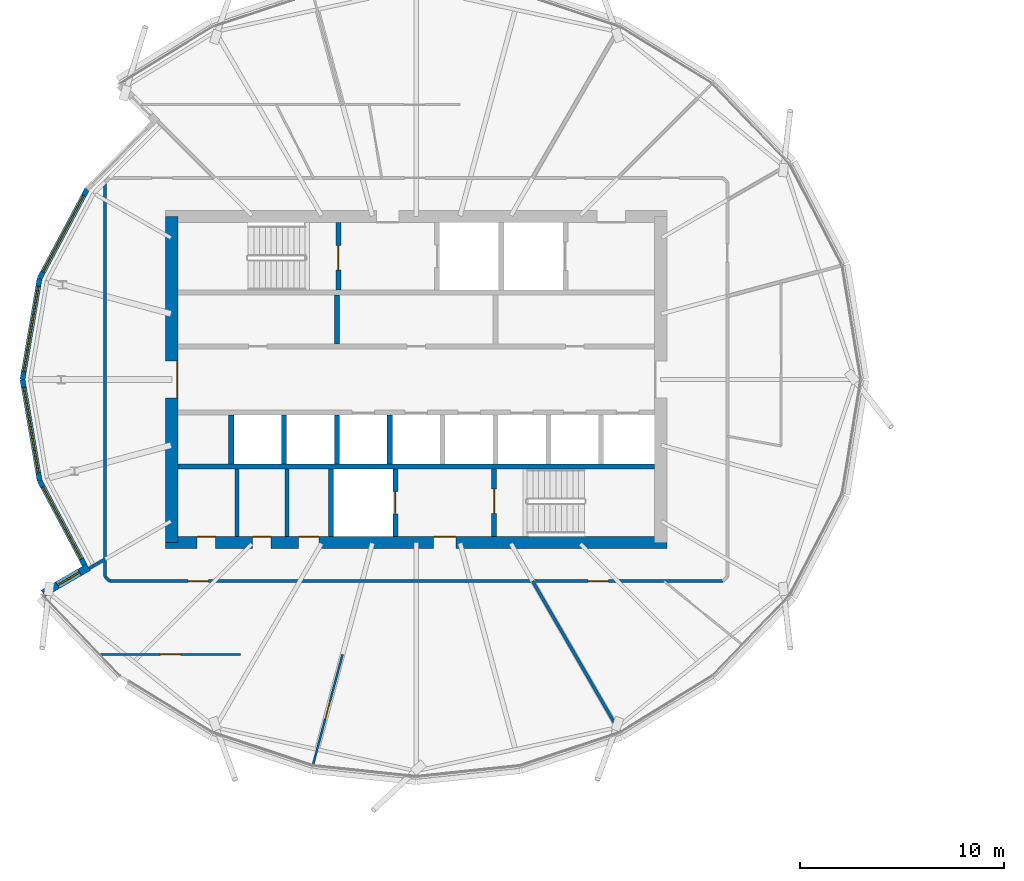
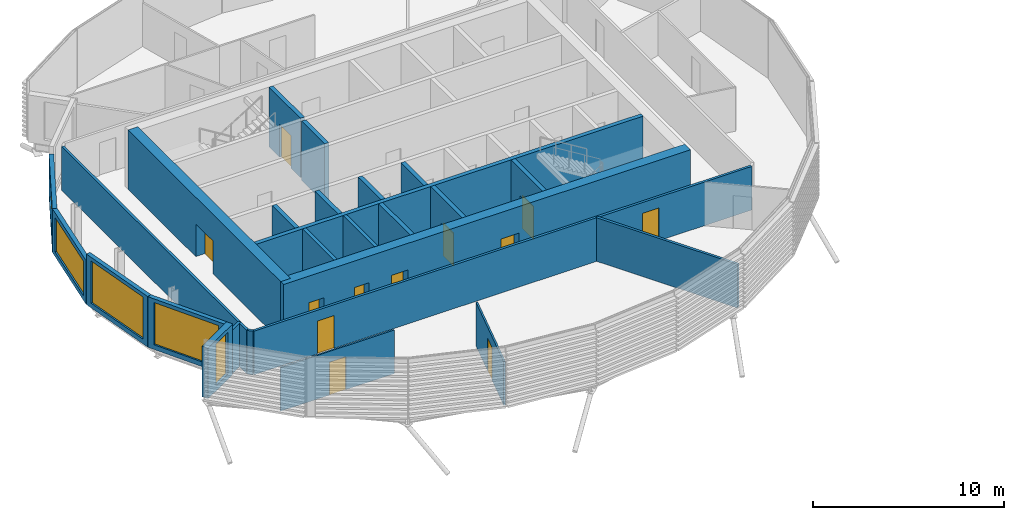
# One storey, part 19 of 36: 26 walls, 12 doors, 5 windows, 17 openings.
"""IFC4 building model written with IfcOpenShell, lengths in metres."""

from ifc_helpers import new_model, si_unit, direction, frame, frame_2d, origin, place, context, subcontext, project, spatial, rectangle, extrude, material, layer, layer_set, type_object, element, fill, save


model = new_model("IFC4")

# Units and contexts
model_context = context("Model", 3, precision=1e-05, world=origin(), true_north=direction((0.0, 1.0)))
body_context = subcontext(model_context, "Body", "Model", "MODEL_VIEW")
ifc_project = project(units=[si_unit("LENGTHUNIT", "METRE"), si_unit("AREAUNIT", "SQUARE_METRE"), si_unit("VOLUMEUNIT", "CUBIC_METRE"), si_unit("PLANEANGLEUNIT", "RADIAN"), si_unit("MASSUNIT", "GRAM", prefix="KILO")], contexts=[model_context])

# Site, building, storey
site_placement = place(None, origin())
site = spatial("IfcSite", under=ifc_project, at=site_placement, CompositionType="ELEMENT")
building_placement = place(site_placement, origin())
building = spatial("IfcBuilding", under=site, at=building_placement, Name="Rimbun Link Towers", CompositionType="ELEMENT")
storey_placement = place(building_placement, frame((0.0, 0.0, 189.300048828125)))
storey = spatial("IfcBuildingStorey", under=building, at=storey_placement, Name="L46", CompositionType="ELEMENT", Elevation=189.300048828125)

# Wall, opening, window
ifc_material_1 = material(Name="Dark enamelled glass spandrel on insulated aluminium backpan", Category="aluminium")
ifc_layer_1 = layer(ifc_material_1, 0.25)
ifc_layer_set_1 = layer_set([ifc_layer_1], Name="CS dark enamelled spandrel wall 250")
wall_type_1 = type_object("IfcWallType", Name="CS dark enamelled spandrel wall 250", PredefinedType="STANDARD", material=ifc_layer_set_1)
wall_1_placement = place(storey_placement, frame((-50.239501953125, 4.962890625, 0.0), z_axis=(0.0, 0.0, 1.0), x_axis=(0.469870717815, 0.882735242607, 0.0)))
wall_1 = element("IfcWall", 1, at=wall_1_placement, inside=storey, type_object=wall_type_1, Name="Crease spandrel wall", PredefinedType="STANDARD", context=body_context, shape_type="SweptSolid", body=[
    extrude(rectangle(XDim=4.963623046875, YDim=0.25, at=frame_2d((2.48193359375, 0.0))), origin(), (0.0, 0.0, 1.0), 2.799072265625),
])
opening_1_placement = place(wall_1_placement, frame((0.35693359375, 0.0, 0.300048828125)))
opening_1 = element("IfcOpeningElement", 2, at=opening_1_placement, cuts=wall_1, Name="Opening WR42H220", PredefinedType="OPENING", context=body_context, shape_type="SweptSolid", body=[
    extrude(rectangle(XDim=4.25, YDim=2.199951171875, at=frame_2d((2.125, 1.10009765625))), frame((0.0, 0.135009765625, 0.0), z_axis=(0.0, -1.0, 0.0), x_axis=(1.0, 0.0, 0.0)), (0.0, 0.0, 1.0), 0.27001953125),
])
ifc_material_2 = material(Name="Aluminium framed fixed window, dark tinted low-e glass", Category="aluminium")
window_type_1 = type_object("IfcWindowType", Name="WR ribbon window 4250X2200", PartitioningType="SINGLE_PANEL", PredefinedType="WINDOW", material=ifc_material_2)
window_1_placement = place(opening_1_placement, origin())
window_1 = element("IfcWindow", 3, at=window_1_placement, inside=storey, type_object=window_type_1, Name="Crease ribbon window", OverallHeight=2.199951171875, OverallWidth=4.25, PartitioningType="SINGLE_PANEL", PredefinedType="WINDOW", context=body_context, shape_type="SweptSolid", body=[
    extrude(rectangle(XDim=4.25, YDim=2.199951171875, at=frame_2d((2.125, 1.10009765625))), frame((0.0, 0.030029296875, 0.0), z_axis=(0.0, -1.0, 0.0), x_axis=(1.0, 0.0, 0.0)), (0.0, 0.0, 1.0), 0.06005859375),
])
fill(opening_1, window_1)

wall_2_placement = place(storey_placement, frame((-51.077880859375, 0.0, 0.0), z_axis=(0.0, 0.0, 1.0), x_axis=(0.166569559795, 0.986029706322, 0.0)))
wall_2 = element("IfcWall", 4, at=wall_2_placement, inside=storey, type_object=wall_type_1, Name="Crease spandrel wall", PredefinedType="STANDARD", context=body_context, shape_type="SweptSolid", body=[
    extrude(rectangle(XDim=5.033203125, YDim=0.25, at=frame_2d((2.5166015625, 0.0))), origin(), (0.0, 0.0, 1.0), 2.799072265625),
])
opening_2_placement = place(wall_2_placement, frame((0.3916015625, 0.0, 0.300048828125)))
opening_2 = element("IfcOpeningElement", 5, at=opening_2_placement, cuts=wall_2, Name="Opening WR42H220", PredefinedType="OPENING", context=body_context, shape_type="SweptSolid", body=[
    extrude(rectangle(XDim=4.25, YDim=2.199951171875, at=frame_2d((2.125, 1.10009765625))), frame((0.0, 0.135009765625, 0.0), z_axis=(0.0, -1.0, 0.0), x_axis=(1.0, 0.0, 0.0)), (0.0, 0.0, 1.0), 0.27001953125),
])
window_2_placement = place(opening_2_placement, origin())
window_2 = element("IfcWindow", 6, at=window_2_placement, inside=storey, type_object=window_type_1, Name="Crease ribbon window", OverallHeight=2.199951171875, OverallWidth=4.25, PartitioningType="SINGLE_PANEL", PredefinedType="WINDOW", context=body_context, shape_type="SweptSolid", body=[
    extrude(rectangle(XDim=4.25, YDim=2.199951171875, at=frame_2d((2.125, 1.10009765625))), frame((0.0, 0.030029296875, 0.0), z_axis=(0.0, -1.0, 0.0), x_axis=(1.0, 0.0, 0.0)), (0.0, 0.0, 1.0), 0.06005859375),
])
fill(opening_2, window_2)

wall_3_placement = place(storey_placement, frame((-50.239501953125, -4.962890625, 0.0), z_axis=(0.0, 0.0, 1.0), x_axis=(-0.166569559795, 0.986029706322, 0.0)))
wall_3 = element("IfcWall", 7, at=wall_3_placement, inside=storey, type_object=wall_type_1, Name="Crease spandrel wall", PredefinedType="STANDARD", context=body_context, shape_type="SweptSolid", body=[
    extrude(rectangle(XDim=5.033203125, YDim=0.25, at=frame_2d((2.5166015625, 0.0))), origin(), (0.0, 0.0, 1.0), 3.233642578125),
])
opening_3_placement = place(wall_3_placement, frame((0.3916015625, 0.0, 0.300048828125)))
opening_3 = element("IfcOpeningElement", 8, at=opening_3_placement, cuts=wall_3, Name="Opening WR42H270", PredefinedType="OPENING", context=body_context, shape_type="SweptSolid", body=[
    extrude(rectangle(XDim=4.25, YDim=2.699951171875, at=frame_2d((2.125, 1.35009765625))), frame((0.0, 0.135009765625, 0.0), z_axis=(0.0, -1.0, 0.0), x_axis=(1.0, 0.0, 0.0)), (0.0, 0.0, 1.0), 0.27001953125),
])
ifc_material_3 = material(Name="Aluminium framed fixed window, dark tinted low-e glass", Category="aluminium")
window_type_2 = type_object("IfcWindowType", Name="WR ribbon window 4250X2700", PartitioningType="SINGLE_PANEL", PredefinedType="WINDOW", material=ifc_material_3)
window_3_placement = place(opening_3_placement, origin())
window_3 = element("IfcWindow", 9, at=window_3_placement, inside=storey, type_object=window_type_2, Name="Crease ribbon window", OverallHeight=2.699951171875, OverallWidth=4.25, PartitioningType="SINGLE_PANEL", PredefinedType="WINDOW", context=body_context, shape_type="SweptSolid", body=[
    extrude(rectangle(XDim=4.25, YDim=2.699951171875, at=frame_2d((2.125, 1.35009765625))), frame((0.0, 0.030029296875, 0.0), z_axis=(0.0, -1.0, 0.0), x_axis=(1.0, 0.0, 0.0)), (0.0, 0.0, 1.0), 0.06005859375),
])
fill(opening_3, window_3)

wall_4_placement = place(storey_placement, frame((-48.03125, -9.111328125, 0.0), z_axis=(0.0, 0.0, 1.0), x_axis=(-0.469884338994, 0.882727992061, 0.0)))
wall_4 = element("IfcWall", 10, at=wall_4_placement, inside=storey, type_object=wall_type_1, Name="Crease spandrel wall", PredefinedType="STANDARD", context=body_context, shape_type="SweptSolid", body=[
    extrude(rectangle(XDim=4.699462890625, YDim=0.25, at=frame_2d((2.349609375, 0.0))), origin(), (0.0, 0.0, 1.0), 3.233642578125),
])
opening_4_placement = place(wall_4_placement, frame((0.349853515625, 0.0, 0.300048828125)))
opening_4 = element("IfcOpeningElement", 11, at=opening_4_placement, cuts=wall_4, Name="Opening WR40H270", PredefinedType="OPENING", context=body_context, shape_type="SweptSolid", body=[
    extrude(rectangle(XDim=4.0, YDim=2.699951171875, at=frame_2d((2.0, 1.35009765625))), frame((0.0, 0.135009765625, 0.0), z_axis=(0.0, -1.0, 0.0), x_axis=(1.0, 0.0, 0.0)), (0.0, 0.0, 1.0), 0.27001953125),
])
ifc_material_4 = material(Name="Aluminium framed fixed window, dark tinted low-e glass", Category="aluminium")
window_type_3 = type_object("IfcWindowType", Name="WR ribbon window 4000X2700", PartitioningType="SINGLE_PANEL", PredefinedType="WINDOW", material=ifc_material_4)
window_4_placement = place(opening_4_placement, origin())
window_4 = element("IfcWindow", 12, at=window_4_placement, inside=storey, type_object=window_type_3, Name="Crease ribbon window", OverallHeight=2.699951171875, OverallWidth=4.0, PartitioningType="SINGLE_PANEL", PredefinedType="WINDOW", context=body_context, shape_type="SweptSolid", body=[
    extrude(rectangle(XDim=4.0, YDim=2.699951171875, at=frame_2d((2.0, 1.35009765625))), frame((0.0, 0.030029296875, 0.0), z_axis=(0.0, -1.0, 0.0), x_axis=(1.0, 0.0, 0.0)), (0.0, 0.0, 1.0), 0.06005859375),
])
fill(opening_4, window_4)

ifc_material_5 = material(Name="Dark enamelled glass spandrel on insulated aluminium backpan", Category="aluminium")
ifc_layer_2 = layer(ifc_material_5, 0.3701171875)
ifc_layer_set_2 = layer_set([ifc_layer_2], Name="CS dark enamelled spandrel wall 370")
wall_type_2 = type_object("IfcWallType", Name="CS dark enamelled spandrel wall 370", PredefinedType="STANDARD", material=ifc_layer_set_2)
wall_5_placement = place(storey_placement, frame((-50.072265625, -10.50341796875, 0.0), z_axis=(0.0, 0.0, 1.0), x_axis=(0.866021702275, 0.500006411147, 0.0)))
wall_5 = element("IfcWall", 13, at=wall_5_placement, inside=storey, type_object=wall_type_2, Name="Crease spandrel wall", PredefinedType="STANDARD", context=body_context, shape_type="SweptSolid", body=[
    extrude(rectangle(XDim=2.580078125, YDim=0.3701171875, at=frame_2d((1.2900390625, 0.0))), origin(), (0.0, 0.0, 1.0), 3.233642578125),
])
opening_5_placement = place(wall_5_placement, frame((0.8212890625, 0.0, 0.300048828125)))
opening_5 = element("IfcOpeningElement", 14, at=opening_5_placement, cuts=wall_5, Name="Opening WR12H270", PredefinedType="OPENING", context=body_context, shape_type="SweptSolid", body=[
    extrude(rectangle(XDim=1.25, YDim=2.699951171875, at=frame_2d((0.625, 1.35009765625))), frame((0.0, 0.195068359375, 0.0), z_axis=(0.0, -1.0, 0.0), x_axis=(1.0, 0.0, 0.0)), (0.0, 0.0, 1.0), 0.39013671875),
])
ifc_material_6 = material(Name="Aluminium framed fixed window, dark tinted low-e glass", Category="aluminium")
window_type_4 = type_object("IfcWindowType", Name="WR ribbon window 1250X2700", PartitioningType="SINGLE_PANEL", PredefinedType="WINDOW", material=ifc_material_6)
window_5_placement = place(opening_5_placement, origin())
window_5 = element("IfcWindow", 15, at=window_5_placement, inside=storey, type_object=window_type_4, Name="Crease ribbon window", OverallHeight=2.699951171875, OverallWidth=1.25, PartitioningType="SINGLE_PANEL", PredefinedType="WINDOW", context=body_context, shape_type="SweptSolid", body=[
    extrude(rectangle(XDim=1.25, YDim=2.699951171875, at=frame_2d((0.625, 1.35009765625))), frame((0.0, 0.030029296875, 0.0), z_axis=(0.0, -1.0, 0.0), x_axis=(1.0, 0.0, 0.0)), (0.0, 0.0, 1.0), 0.06005859375),
])
fill(opening_5, window_5)

# Walls
ifc_material_7 = material(Name="Masonry blockwork", Category="masonry")
ifc_layer_3 = layer(ifc_material_7, 0.199951171875)
ifc_layer_set_3 = layer_set([ifc_layer_3], Name="Core partition 200")
wall_type_3 = type_object("IfcWallType", Name="Core partition 200", PredefinedType="PARTITIONING", material=ifc_layer_set_3)
for number, where, z_axis, x_axis, name in (
    (16, (-40.550048828125, -4.39990234375, 0.0), (0.0, 0.0, 1.0), (0.0, -1.0, 0.0), "L46 T1 core wall C1"),
    (17, (-38.10009765625, -4.39990234375, 0.0), (0.0, 0.0, 1.0), (0.0, -1.0, 0.0), "L46 T1 core wall C2"),
):
    element("IfcWall", number, at=place(storey_placement, frame(where, z_axis=z_axis, x_axis=x_axis)), inside=storey, type_object=wall_type_3, Name=name, PredefinedType="PARTITIONING", context=body_context, shape_type="SweptSolid", body=[
        extrude(rectangle(XDim=3.300048828125, YDim=0.199951171875, at=frame_2d((1.64990234375, 0.0))), origin(), (0.0, 0.0, 1.0), 3.800048828125),
    ])

# Wall, openings, doors
ifc_material_8 = material(Name="Concrete C60/75", Category="concrete")
ifc_layer_4 = layer(ifc_material_8, 0.60009765625)
ifc_layer_set_4 = layer_set([ifc_layer_4], Name="Core shear wall 600")
wall_type_4 = type_object("IfcWallType", Name="Core shear wall 600", PredefinedType="SHEAR", material=ifc_layer_set_4)
wall_6_placement = place(storey_placement, frame((-44.050048828125, -8.0, 0.0), z_axis=(0.0, 0.0, 1.0), x_axis=(1.0, 0.0, 0.0)))
wall_6 = element("IfcWall", 18, at=wall_6_placement, inside=storey, type_object=wall_type_4, Name="L46 T1 core wall S", PredefinedType="SHEAR", context=body_context, shape_type="SweptSolid", body=[
    extrude(rectangle(XDim=24.60009765625, YDim=0.60009765625, at=frame_2d((12.300048828125, 0.0))), origin(), (0.0, 0.0, 1.0), 3.800048828125),
])
opening_6_placement = place(wall_6_placement, frame((13.14990234375, 0.0, 0.0)))
opening_6 = element("IfcOpeningElement", 19, at=opening_6_placement, cuts=wall_6, Name="Opening C1DCF01S", PredefinedType="OPENING", context=body_context, shape_type="SweptSolid", body=[
    extrude(rectangle(XDim=1.10009765625, YDim=2.10009765625, at=frame_2d((0.550048828125, 1.050048828125))), frame((0.0, 0.31005859375, 0.0), z_axis=(0.0, -1.0, 0.0), x_axis=(1.0, 0.0, 0.0)), (0.0, 0.0, 1.0), 0.6201171875),
])
opening_7_placement = place(wall_6_placement, frame((1.550048828125, 0.0, 0.0)))
opening_7 = element("IfcOpeningElement", 20, at=opening_7_placement, cuts=wall_6, Name="Opening C1DWC02S", PredefinedType="OPENING", context=body_context, shape_type="SweptSolid", body=[
    extrude(rectangle(XDim=0.89990234375, YDim=2.10009765625, at=frame_2d((0.449951171875, 1.050048828125))), frame((0.0, 0.31005859375, 0.0), z_axis=(0.0, -1.0, 0.0), x_axis=(1.0, 0.0, 0.0)), (0.0, 0.0, 1.0), 0.6201171875),
])
opening_8_placement = place(wall_6_placement, frame((4.27490234375, 0.0, 0.0)))
opening_8 = element("IfcOpeningElement", 21, at=opening_8_placement, cuts=wall_6, Name="Opening C1DWC03S", PredefinedType="OPENING", context=body_context, shape_type="SweptSolid", body=[
    extrude(rectangle(XDim=0.89990234375, YDim=2.10009765625, at=frame_2d((0.449951171875, 1.050048828125))), frame((0.0, 0.31005859375, 0.0), z_axis=(0.0, -1.0, 0.0), x_axis=(1.0, 0.0, 0.0)), (0.0, 0.0, 1.0), 0.6201171875),
])
opening_9_placement = place(wall_6_placement, frame((6.52490234375, 0.0, 0.0)))
opening_9 = element("IfcOpeningElement", 22, at=opening_9_placement, cuts=wall_6, Name="Opening C1DAW04S", PredefinedType="OPENING", context=body_context, shape_type="SweptSolid", body=[
    extrude(rectangle(XDim=1.0, YDim=2.10009765625, at=frame_2d((0.5, 1.050048828125))), frame((0.0, 0.31005859375, 0.0), z_axis=(0.0, -1.0, 0.0), x_axis=(1.0, 0.0, 0.0)), (0.0, 0.0, 1.0), 0.6201171875),
])
ifc_material_9 = material(Name="Timber", Category="wood")
door_type_1 = type_object("IfcDoorType", Name="Accessible WC door", OperationType="SINGLE_SWING_LEFT", PredefinedType="DOOR", material=ifc_material_9)
door_1_placement = place(opening_9_placement, origin())
door_1 = element("IfcDoor", 23, at=door_1_placement, inside=storey, type_object=door_type_1, Name="L46 T1 accessible wc door", OperationType="SINGLE_SWING_RIGHT", OverallHeight=2.10009765625, OverallWidth=1.0, PredefinedType="DOOR", context=body_context, shape_type="SweptSolid", body=[
    extrude(rectangle(XDim=1.0, YDim=2.10009765625, at=frame_2d((0.5, 1.050048828125))), frame((0.0, 0.2998046875, 0.0), z_axis=(0.0, -1.0, 0.0), x_axis=(1.0, 0.0, 0.0)), (0.0, 0.0, 1.0), 0.050048828125),
])
fill(opening_9, door_1)
ifc_material_10 = material(Name="Steel fire door set", Category="steel")
door_type_2 = type_object("IfcDoorType", Name="Core fire door single", OperationType="SINGLE_SWING_LEFT", PredefinedType="DOOR", material=ifc_material_10)
door_2_placement = place(opening_6_placement, origin())
door_2 = element("IfcDoor", 24, at=door_2_placement, inside=storey, type_object=door_type_2, Name="L46 T1 firefighting lobby s door", OperationType="SINGLE_SWING_RIGHT", OverallHeight=2.10009765625, OverallWidth=1.10009765625, PredefinedType="DOOR", context=body_context, shape_type="SweptSolid", body=[
    extrude(rectangle(XDim=1.10009765625, YDim=2.10009765625, at=frame_2d((0.550048828125, 1.050048828125))), frame((0.0, 0.2998046875, 0.0), z_axis=(0.0, -1.0, 0.0), x_axis=(1.0, 0.0, 0.0)), (0.0, 0.0, 1.0), 0.050048828125),
])
fill(opening_6, door_2)
ifc_material_11 = material(Name="Timber", Category="wood")
door_type_3 = type_object("IfcDoorType", Name="WC door", OperationType="SINGLE_SWING_LEFT", PredefinedType="DOOR", material=ifc_material_11)
door_3_placement = place(opening_7_placement, origin())
door_3 = element("IfcDoor", 25, at=door_3_placement, inside=storey, type_object=door_type_3, Name="L46 T1 male wc door", OperationType="SINGLE_SWING_LEFT", OverallHeight=2.10009765625, OverallWidth=0.89990234375, PredefinedType="DOOR", context=body_context, shape_type="SweptSolid", body=[
    extrude(rectangle(XDim=0.89990234375, YDim=2.10009765625, at=frame_2d((0.449951171875, 1.050048828125))), frame((0.0, 0.2998046875, 0.0), z_axis=(0.0, -1.0, 0.0), x_axis=(1.0, 0.0, 0.0)), (0.0, 0.0, 1.0), 0.050048828125),
])
fill(opening_7, door_3)
door_4_placement = place(opening_8_placement, origin())
door_4 = element("IfcDoor", 26, at=door_4_placement, inside=storey, type_object=door_type_3, Name="L46 T1 female wc door", OperationType="SINGLE_SWING_RIGHT", OverallHeight=2.10009765625, OverallWidth=0.89990234375, PredefinedType="DOOR", context=body_context, shape_type="SweptSolid", body=[
    extrude(rectangle(XDim=0.89990234375, YDim=2.10009765625, at=frame_2d((0.449951171875, 1.050048828125))), frame((0.0, 0.2998046875, 0.0), z_axis=(0.0, -1.0, 0.0), x_axis=(1.0, 0.0, 0.0)), (0.0, 0.0, 1.0), 0.050048828125),
])
fill(opening_8, door_4)

# Wall, opening, door
wall_7_placement = place(storey_placement, frame((-43.75, -8.0, 0.0), z_axis=(0.0, 0.0, 1.0), x_axis=(0.0, 1.0, 0.0)))
wall_7 = element("IfcWall", 27, at=wall_7_placement, inside=storey, type_object=wall_type_4, Name="L46 T1 core wall W", PredefinedType="SHEAR", context=body_context, shape_type="SweptSolid", body=[
    extrude(rectangle(XDim=16.0, YDim=0.60009765625, at=frame_2d((8.0, 0.0))), origin(), (0.0, 0.0, 1.0), 3.800048828125),
])
opening_10_placement = place(wall_7_placement, frame((7.10009765625, 0.0, 0.0)))
opening_10 = element("IfcOpeningElement", 28, at=opening_10_placement, cuts=wall_7, Name="Opening C1DCL01W", PredefinedType="OPENING", context=body_context, shape_type="SweptSolid", body=[
    extrude(rectangle(XDim=1.800048828125, YDim=2.10009765625, at=frame_2d((0.89990234375, 1.050048828125))), frame((0.0, 0.31005859375, 0.0), z_axis=(0.0, -1.0, 0.0), x_axis=(1.0, 0.0, 0.0)), (0.0, 0.0, 1.0), 0.6201171875),
])
ifc_material_12 = material(Name="Steel fire door set", Category="steel")
door_type_4 = type_object("IfcDoorType", Name="Core lobby door double", OperationType="DOUBLE_DOOR_SINGLE_SWING", PredefinedType="DOOR", material=ifc_material_12)
door_5_placement = place(opening_10_placement, origin())
door_5 = element("IfcDoor", 29, at=door_5_placement, inside=storey, type_object=door_type_4, Name="L46 T1 lift lobby door", OperationType="DOUBLE_DOOR_SINGLE_SWING", OverallHeight=2.10009765625, OverallWidth=1.800048828125, PredefinedType="DOOR", context=body_context, shape_type="SweptSolid", body=[
    extrude(rectangle(XDim=1.800048828125, YDim=2.10009765625, at=frame_2d((0.89990234375, 1.050048828125))), frame((0.0, -0.25, 0.0), z_axis=(0.0, -1.0, 0.0), x_axis=(1.0, 0.0, 0.0)), (0.0, 0.0, 1.0), 0.050048828125),
])
fill(opening_10, door_5)

# Wall, openings, doors
ifc_material_13 = material(Name="Plasterboard on steel stud, mineral wool", Category="steel")
ifc_layer_5 = layer(ifc_material_13, 0.14990234375)
ifc_layer_set_5 = layer_set([ifc_layer_5], Name="Corridor wall EI 30 150 mm")
wall_type_5 = type_object("IfcWallType", Name="Corridor wall EI 30 150 mm", PredefinedType="PARTITIONING", material=ifc_layer_set_5)
wall_8_placement = place(storey_placement, frame((-16.6962890625, -9.89501953125, 0.0), z_axis=(0.0, 0.0, 1.0), x_axis=(-1.0, 0.0, 0.0)))
wall_8 = element("IfcWall", 30, at=wall_8_placement, inside=storey, type_object=wall_type_5, Name="Corridor wall EI 30 150 mm", PredefinedType="PARTITIONING", context=body_context, shape_type="SweptSolid", body=[
    extrude(rectangle(XDim=30.107421875, YDim=0.14990234375, at=frame_2d((15.0537109375, 0.0))), origin(), (0.0, 0.0, 1.0), 2.7890625),
])
opening_11_placement = place(wall_8_placement, frame((25.255615234375, 0.0, 0.0)))
opening_11 = element("IfcOpeningElement", 31, at=opening_11_placement, cuts=wall_8, Name="Opening D01", PredefinedType="OPENING", context=body_context, shape_type="SweptSolid", body=[
    extrude(rectangle(XDim=1.0, YDim=2.10009765625, at=frame_2d((0.5, 1.050048828125))), frame((0.0, 0.0849609375, 0.0), z_axis=(0.0, -1.0, 0.0), x_axis=(1.0, 0.0, 0.0)), (0.0, 0.0, 1.0), 0.169921875),
])
opening_12_placement = place(wall_8_placement, frame((5.614501953125, 0.0, 0.0)))
opening_12 = element("IfcOpeningElement", 32, at=opening_12_placement, cuts=wall_8, Name="Opening D01", PredefinedType="OPENING", context=body_context, shape_type="SweptSolid", body=[
    extrude(rectangle(XDim=1.0, YDim=2.10009765625, at=frame_2d((0.5, 1.050048828125))), frame((0.0, 0.0849609375, 0.0), z_axis=(0.0, -1.0, 0.0), x_axis=(1.0, 0.0, 0.0)), (0.0, 0.0, 1.0), 0.169921875),
])
ifc_material_14 = material(Name="Fire-resisting timber door leaf", Category="wood")
door_type_5 = type_object("IfcDoorType", Name="Fire door FD30S 1000", OperationType="NOTDEFINED", PredefinedType="DOOR", material=ifc_material_14)
door_6_placement = place(opening_11_placement, origin())
door_6 = element("IfcDoor", 33, at=door_6_placement, inside=storey, type_object=door_type_5, Name="Fire door FD30S 1000 to Tenant lobby", OperationType="SINGLE_SWING_LEFT", OverallHeight=2.10009765625, OverallWidth=1.0, PredefinedType="DOOR", context=body_context, shape_type="SweptSolid", body=[
    extrude(rectangle(XDim=1.0, YDim=2.10009765625, at=frame_2d((0.5, 1.050048828125))), frame((0.0, 0.02490234375, 0.0), z_axis=(0.0, -1.0, 0.0), x_axis=(1.0, 0.0, 0.0)), (0.0, 0.0, 1.0), 0.050048828125),
])
fill(opening_11, door_6)
door_7_placement = place(opening_12_placement, origin())
door_7 = element("IfcDoor", 34, at=door_7_placement, inside=storey, type_object=door_type_5, Name="Fire door FD30S 1000 to Tenant lobby", OperationType="SINGLE_SWING_RIGHT", OverallHeight=2.10009765625, OverallWidth=1.0, PredefinedType="DOOR", context=body_context, shape_type="SweptSolid", body=[
    extrude(rectangle(XDim=1.0, YDim=2.10009765625, at=frame_2d((0.5, 1.050048828125))), frame((0.0, 0.02490234375, 0.0), z_axis=(0.0, -1.0, 0.0), x_axis=(1.0, 0.0, 0.0)), (0.0, 0.0, 1.0), 0.050048828125),
])
fill(opening_12, door_7)

# Walls
wall_9_placement = place(storey_placement, frame((-47.02490234375, -9.673583984375, 0.0), z_axis=(0.0, 0.0, 1.0), x_axis=(0.706716653396, -0.707496693853, 0.0)))
element("IfcWall", 35, at=wall_9_placement, inside=storey, type_object=wall_type_5, Name="Corridor wall EI 30 150 mm", PredefinedType="PARTITIONING", context=body_context, shape_type="SweptSolid", body=[
    extrude(rectangle(XDim=0.31298828125, YDim=0.14990234375, at=frame_2d((0.156494140625, 0.0))), origin(), (0.0, 0.0, 1.0), 2.7890625),
])
wall_10_placement = place(storey_placement, frame((-47.02490234375, 9.673583984375, 0.0), z_axis=(0.0, 0.0, 1.0), x_axis=(0.0, -1.0, 0.0)))
element("IfcWall", 36, at=wall_10_placement, inside=storey, type_object=wall_type_5, Name="Corridor wall EI 30 150 mm", PredefinedType="PARTITIONING", context=body_context, shape_type="SweptSolid", body=[
    extrude(rectangle(XDim=19.34716796875, YDim=0.14990234375, at=frame_2d((9.673583984375, 0.0))), origin(), (0.0, 0.0, 1.0), 2.7890625),
])

# Wall, opening, door
ifc_material_15 = material(Name="Plasterboard on steel stud", Category="steel")
ifc_layer_6 = layer(ifc_material_15, 0.10009765625)
ifc_layer_set_6 = layer_set([ifc_layer_6], Name="Plasterboard partition 100 mm")
wall_type_6 = type_object("IfcWallType", Name="Plasterboard partition 100 mm", PredefinedType="PARTITIONING", material=ifc_layer_set_6)
wall_11_placement = place(storey_placement, frame((-40.37451171875, -13.4951171875, 0.0), z_axis=(0.0, 0.0, 1.0), x_axis=(-1.0, 0.0, 0.0)))
wall_11 = element("IfcWall", 37, at=wall_11_placement, inside=storey, type_object=wall_type_6, Name="Plasterboard partition 100 mm", PredefinedType="PARTITIONING", context=body_context, shape_type="SweptSolid", body=[
    extrude(rectangle(XDim=6.877685546875, YDim=0.10009765625, at=frame_2d((3.43896484375, 0.0))), origin(), (0.0, 0.0, 1.0), 2.7890625),
])
opening_13_placement = place(wall_11_placement, frame((2.938720703125, 0.0, 0.0)))
opening_13 = element("IfcOpeningElement", 38, at=opening_13_placement, cuts=wall_11, Name="Opening D03", PredefinedType="OPENING", context=body_context, shape_type="SweptSolid", body=[
    extrude(rectangle(XDim=1.0, YDim=2.10009765625, at=frame_2d((0.5, 1.050048828125))), frame((0.0, 0.06005859375, 0.0), z_axis=(0.0, -1.0, 0.0), x_axis=(1.0, 0.0, 0.0)), (0.0, 0.0, 1.0), 0.1201171875),
])
ifc_material_16 = material(Name="Timber door leaf", Category="wood")
door_type_6 = type_object("IfcDoorType", Name="Flush door 1000", OperationType="NOTDEFINED", PredefinedType="DOOR", material=ifc_material_16)
door_8_placement = place(opening_13_placement, origin())
door_8 = element("IfcDoor", 39, at=door_8_placement, inside=storey, type_object=door_type_6, Name="Flush door 1000 to Open office", OperationType="SINGLE_SWING_RIGHT", OverallHeight=2.10009765625, OverallWidth=1.0, PredefinedType="DOOR", context=body_context, shape_type="SweptSolid", body=[
    extrude(rectangle(XDim=1.0, YDim=2.10009765625, at=frame_2d((0.5, 1.050048828125))), frame((0.0, 0.02490234375, 0.0), z_axis=(0.0, -1.0, 0.0), x_axis=(1.0, 0.0, 0.0)), (0.0, 0.0, 1.0), 0.050048828125),
])
fill(opening_13, door_8)

wall_12_placement = place(storey_placement, frame((-35.365966796875, -13.4951171875, 0.0), z_axis=(0.0, 0.0, 1.0), x_axis=(-0.258823547375, -0.965924619897, 0.0)))
wall_12 = element("IfcWall", 40, at=wall_12_placement, inside=storey, type_object=wall_type_6, Name="Plasterboard partition 100 mm", PredefinedType="PARTITIONING", context=body_context, shape_type="SweptSolid", body=[
    extrude(rectangle(XDim=5.62744140625, YDim=0.10009765625, at=frame_2d((2.813720703125, 0.0))), origin(), (0.0, 0.0, 1.0), 2.7890625),
])
opening_14_placement = place(wall_12_placement, frame((2.36376953125, 0.0, 0.0)))
opening_14 = element("IfcOpeningElement", 41, at=opening_14_placement, cuts=wall_12, Name="Opening D04", PredefinedType="OPENING", context=body_context, shape_type="SweptSolid", body=[
    extrude(rectangle(XDim=0.89990234375, YDim=2.10009765625, at=frame_2d((0.449951171875, 1.050048828125))), frame((0.0, 0.06005859375, 0.0), z_axis=(0.0, -1.0, 0.0), x_axis=(1.0, 0.0, 0.0)), (0.0, 0.0, 1.0), 0.1201171875),
])
ifc_material_17 = material(Name="Timber door leaf", Category="wood")
door_type_7 = type_object("IfcDoorType", Name="Flush door 900", OperationType="NOTDEFINED", PredefinedType="DOOR", material=ifc_material_17)
door_9_placement = place(opening_14_placement, origin())
door_9 = element("IfcDoor", 42, at=door_9_placement, inside=storey, type_object=door_type_7, Name="Flush door 900 to Project room", OperationType="SINGLE_SWING_LEFT", OverallHeight=2.10009765625, OverallWidth=0.89990234375, PredefinedType="DOOR", context=body_context, shape_type="SweptSolid", body=[
    extrude(rectangle(XDim=0.89990234375, YDim=2.10009765625, at=frame_2d((0.449951171875, 1.050048828125))), frame((0.0, 0.02490234375, 0.0), z_axis=(0.0, -1.0, 0.0), x_axis=(1.0, 0.0, 0.0)), (0.0, 0.0, 1.0), 0.050048828125),
])
fill(opening_14, door_9)

# Walls
ifc_material_18 = material(Name="Concrete C60/75", Category="concrete")
ifc_layer_7 = layer(ifc_material_18, 0.25)
ifc_layer_set_7 = layer_set([ifc_layer_7], Name="Shaft wall 250")
wall_type_7 = type_object("IfcWallType", Name="Shaft wall 250", PredefinedType="SHEAR", material=ifc_layer_set_7)
wall_13_placement = place(storey_placement, frame((-43.449951171875, -4.27490234375, 0.0), z_axis=(0.0, 0.0, 1.0), x_axis=(1.0, 0.0, 0.0)))
element("IfcWall", 43, at=wall_13_placement, inside=storey, type_object=wall_type_7, Name="L46 T1 core wall BS", PredefinedType="SHEAR", context=body_context, shape_type="SweptSolid", body=[
    extrude(rectangle(XDim=23.39990234375, YDim=0.25, at=frame_2d((11.699951171875, 0.0))), origin(), (0.0, 0.0, 1.0), 3.800048828125),
])
for number, where, z_axis, x_axis, name in (
    (44, (-35.6416015625, 1.75, 0.0), (0.0, 0.0, 1.0), (0.0, 1.0, 0.0), "L46 T1 core wall DN2"),
    (45, (-40.83056640625, -4.14990234375, 0.0), (0.0, 0.0, 1.0), (0.0, 1.0, 0.0), "L46 T1 core wall DS0"),
    (46, (-38.236083984375, -4.14990234375, 0.0), (0.0, 0.0, 1.0), (0.0, 1.0, 0.0), "L46 T1 core wall DS1"),
    (47, (-35.6416015625, -4.14990234375, 0.0), (0.0, 0.0, 1.0), (0.0, 1.0, 0.0), "L46 T1 core wall DS2"),
    (48, (-33.047119140625, -4.14990234375, 0.0), (0.0, 0.0, 1.0), (0.0, 1.0, 0.0), "L46 T1 core wall DS3"),
):
    element("IfcWall", number, at=place(storey_placement, frame(where, z_axis=z_axis, x_axis=x_axis)), inside=storey, type_object=wall_type_7, Name=name, PredefinedType="SHEAR", context=body_context, shape_type="SweptSolid", body=[
        extrude(rectangle(XDim=2.39990234375, YDim=0.25, at=frame_2d((1.199951171875, 0.0))), origin(), (0.0, 0.0, 1.0), 3.800048828125),
    ])

# Wall, opening, door
wall_14_placement = place(storey_placement, frame((-35.574951171875, 4.39990234375, 0.0), z_axis=(0.0, 0.0, 1.0), x_axis=(0.0, 1.0, 0.0)))
wall_14 = element("IfcWall", 49, at=wall_14_placement, inside=storey, type_object=wall_type_7, Name="L46 T1 core wall A1", PredefinedType="SHEAR", context=body_context, shape_type="SweptSolid", body=[
    extrude(rectangle(XDim=3.300048828125, YDim=0.25, at=frame_2d((1.64990234375, 0.0))), origin(), (0.0, 0.0, 1.0), 3.800048828125),
])
opening_15_placement = place(wall_14_placement, frame((0.97509765625, 0.0, 0.0)))
opening_15 = element("IfcOpeningElement", 50, at=opening_15_placement, cuts=wall_14, Name="Opening C1DST01A1", PredefinedType="OPENING", context=body_context, shape_type="SweptSolid", body=[
    extrude(rectangle(XDim=1.199951171875, YDim=2.10009765625, at=frame_2d((0.60009765625, 1.050048828125))), frame((0.0, 0.135009765625, 0.0), z_axis=(0.0, -1.0, 0.0), x_axis=(1.0, 0.0, 0.0)), (0.0, 0.0, 1.0), 0.27001953125),
])
ifc_material_19 = material(Name="Steel fire door set", Category="steel")
door_type_8 = type_object("IfcDoorType", Name="Stair door", OperationType="SINGLE_SWING_LEFT", PredefinedType="DOOR", material=ifc_material_19)
door_10_placement = place(opening_15_placement, origin())
door_10 = element("IfcDoor", 51, at=door_10_placement, inside=storey, type_object=door_type_8, Name="L46 T1 stair a door", OperationType="SINGLE_SWING_RIGHT", OverallHeight=2.10009765625, OverallWidth=1.199951171875, PredefinedType="DOOR", context=body_context, shape_type="SweptSolid", body=[
    extrude(rectangle(XDim=1.199951171875, YDim=2.10009765625, at=frame_2d((0.60009765625, 1.050048828125))), frame((0.0, 0.02490234375, 0.0), z_axis=(0.0, -1.0, 0.0), x_axis=(1.0, 0.0, 0.0)), (0.0, 0.0, 1.0), 0.050048828125),
])
fill(opening_15, door_10)

wall_15_placement = place(storey_placement, frame((-27.925048828125, -4.39990234375, 0.0), z_axis=(0.0, 0.0, 1.0), x_axis=(0.0, -1.0, 0.0)))
wall_15 = element("IfcWall", 52, at=wall_15_placement, inside=storey, type_object=wall_type_7, Name="L46 T1 core wall B1", PredefinedType="SHEAR", context=body_context, shape_type="SweptSolid", body=[
    extrude(rectangle(XDim=3.300048828125, YDim=0.25, at=frame_2d((1.64990234375, 0.0))), origin(), (0.0, 0.0, 1.0), 3.800048828125),
])
opening_16_placement = place(wall_15_placement, frame((0.97509765625, 0.0, 0.0)))
opening_16 = element("IfcOpeningElement", 53, at=opening_16_placement, cuts=wall_15, Name="Opening C1DST01B1", PredefinedType="OPENING", context=body_context, shape_type="SweptSolid", body=[
    extrude(rectangle(XDim=1.199951171875, YDim=2.10009765625, at=frame_2d((0.60009765625, 1.050048828125))), frame((0.0, 0.135009765625, 0.0), z_axis=(0.0, -1.0, 0.0), x_axis=(1.0, 0.0, 0.0)), (0.0, 0.0, 1.0), 0.27001953125),
])
door_11_placement = place(opening_16_placement, origin())
door_11 = element("IfcDoor", 54, at=door_11_placement, inside=storey, type_object=door_type_8, Name="L46 T1 stair b door", OperationType="SINGLE_SWING_RIGHT", OverallHeight=2.10009765625, OverallWidth=1.199951171875, PredefinedType="DOOR", context=body_context, shape_type="SweptSolid", body=[
    extrude(rectangle(XDim=1.199951171875, YDim=2.10009765625, at=frame_2d((0.60009765625, 1.050048828125))), frame((0.0, 0.02490234375, 0.0), z_axis=(0.0, -1.0, 0.0), x_axis=(1.0, 0.0, 0.0)), (0.0, 0.0, 1.0), 0.050048828125),
])
fill(opening_16, door_11)

wall_16_placement = place(storey_placement, frame((-32.77490234375, -4.39990234375, 0.0), z_axis=(0.0, 0.0, 1.0), x_axis=(0.0, -1.0, 0.0)))
wall_16 = element("IfcWall", 55, at=wall_16_placement, inside=storey, type_object=wall_type_7, Name="L46 T1 core wall B2", PredefinedType="SHEAR", context=body_context, shape_type="SweptSolid", body=[
    extrude(rectangle(XDim=3.300048828125, YDim=0.25, at=frame_2d((1.64990234375, 0.0))), origin(), (0.0, 0.0, 1.0), 3.800048828125),
])
opening_17_placement = place(wall_16_placement, frame((1.10009765625, 0.0, 0.0)))
opening_17 = element("IfcOpeningElement", 56, at=opening_17_placement, cuts=wall_16, Name="Opening LD-T1-FF2", PredefinedType="OPENING", context=body_context, shape_type="SweptSolid", body=[
    extrude(rectangle(XDim=1.10009765625, YDim=2.10009765625, at=frame_2d((0.550048828125, 1.050048828125))), frame((0.0, 0.135009765625, 0.0), z_axis=(0.0, -1.0, 0.0), x_axis=(1.0, 0.0, 0.0)), (0.0, 0.0, 1.0), 0.27001953125),
])
ifc_material_20 = material(Name="Stainless steel grade 316", Category="steel")
door_type_9 = type_object("IfcDoorType", Name="Lift landing door", OperationType="DOUBLE_DOOR_SLIDING", PredefinedType="DOOR", material=ifc_material_20)
door_12_placement = place(opening_17_placement, origin())
door_12 = element("IfcDoor", 57, at=door_12_placement, inside=storey, type_object=door_type_9, Name="L46 T1 lift FF2 landing door", OperationType="DOUBLE_DOOR_SLIDING", OverallHeight=2.10009765625, OverallWidth=1.10009765625, PredefinedType="DOOR", context=body_context, shape_type="SweptSolid", body=[
    extrude(rectangle(XDim=1.10009765625, YDim=2.10009765625, at=frame_2d((0.550048828125, 1.050048828125))), frame((0.0, 0.02490234375, 0.0), z_axis=(0.0, -1.0, 0.0), x_axis=(1.0, 0.0, 0.0)), (0.0, 0.0, 1.0), 0.050048828125),
])
fill(opening_17, door_12)

# Walls
wall_17_placement = place(storey_placement, frame((-35.925048828125, -4.39990234375, 0.0), z_axis=(0.0, 0.0, 1.0), x_axis=(0.0, -1.0, 0.0)))
element("IfcWall", 58, at=wall_17_placement, inside=storey, type_object=wall_type_7, Name="L46 T1 core wall B3", PredefinedType="SHEAR", context=body_context, shape_type="SweptSolid", body=[
    extrude(rectangle(XDim=3.300048828125, YDim=0.25, at=frame_2d((1.64990234375, 0.0))), origin(), (0.0, 0.0, 1.0), 3.800048828125),
])
ifc_material_21 = material(Name="Plasterboard on steel stud, mineral wool", Category="steel")
ifc_layer_8 = layer(ifc_material_21, 0.14990234375)
ifc_layer_set_8 = layer_set([ifc_layer_8], Name="Tenancy separation wall EI 60 150 mm")
wall_type_8 = type_object("IfcWallType", Name="Tenancy separation wall EI 60 150 mm", PredefinedType="PARTITIONING", material=ifc_layer_set_8)
wall_18_placement = place(storey_placement, frame((-47.02490234375, -8.819091796875, 0.0), z_axis=(0.0, 0.0, 1.0), x_axis=(-0.866117924323, -0.499839715476, 0.0)))
element("IfcWall", 59, at=wall_18_placement, inside=storey, type_object=wall_type_8, Name="Tenancy separation wall EI 60 150 mm", PredefinedType="PARTITIONING", context=body_context, shape_type="SweptSolid", body=[
    extrude(rectangle(XDim=0.901123046875, YDim=0.14990234375, at=frame_2d((0.45068359375, 0.0))), origin(), (0.0, 0.0, 1.0), 2.7890625),
])
wall_19_placement = place(storey_placement, frame((-26.037109375, -9.89501953125, 0.0), z_axis=(0.0, 0.0, 1.0), x_axis=(0.499998391746, -0.866026332309, 0.0)))
element("IfcWall", 60, at=wall_19_placement, inside=storey, type_object=wall_type_8, Name="Tenancy separation wall EI 60 150 mm", PredefinedType="PARTITIONING", context=body_context, shape_type="SweptSolid", body=[
    extrude(rectangle(XDim=8.55224609375, YDim=0.14990234375, at=frame_2d((4.276123046875, 0.0))), origin(), (0.0, 0.0, 1.0), 2.7890625),
])

save(model, "model.ifc")
